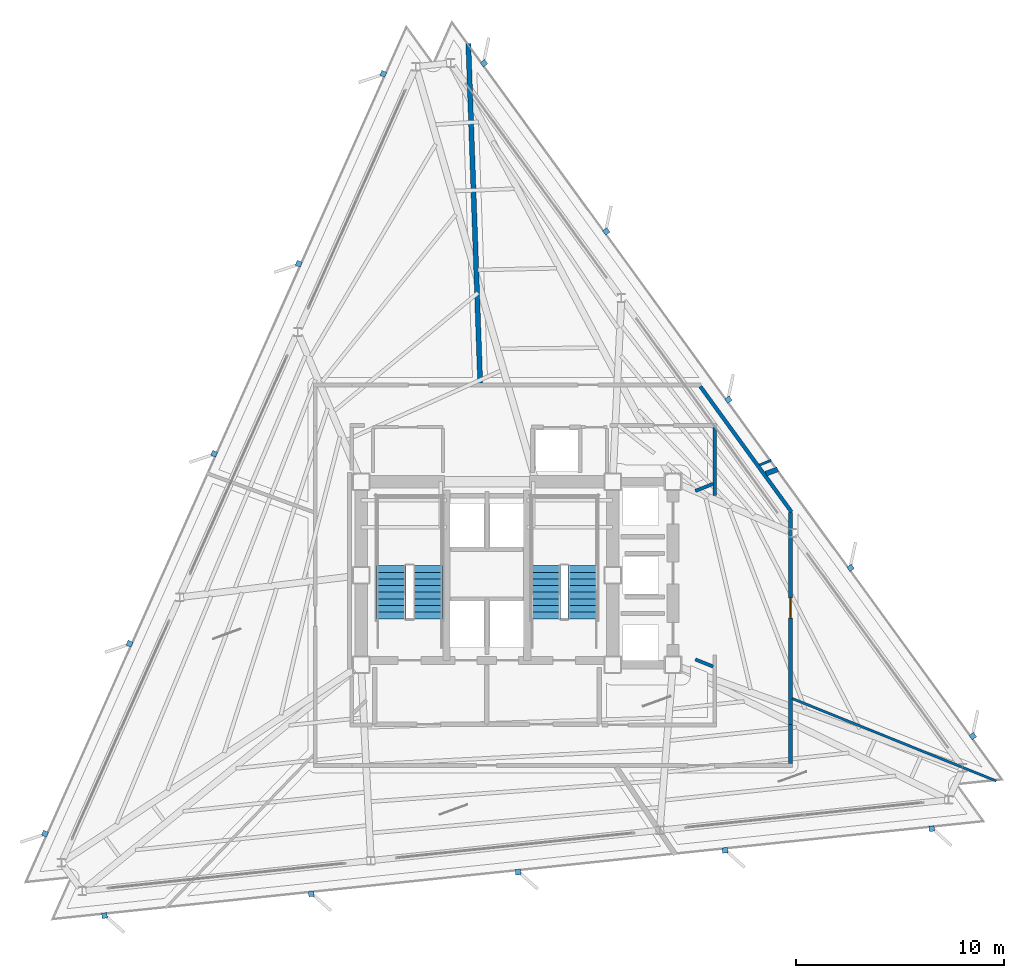
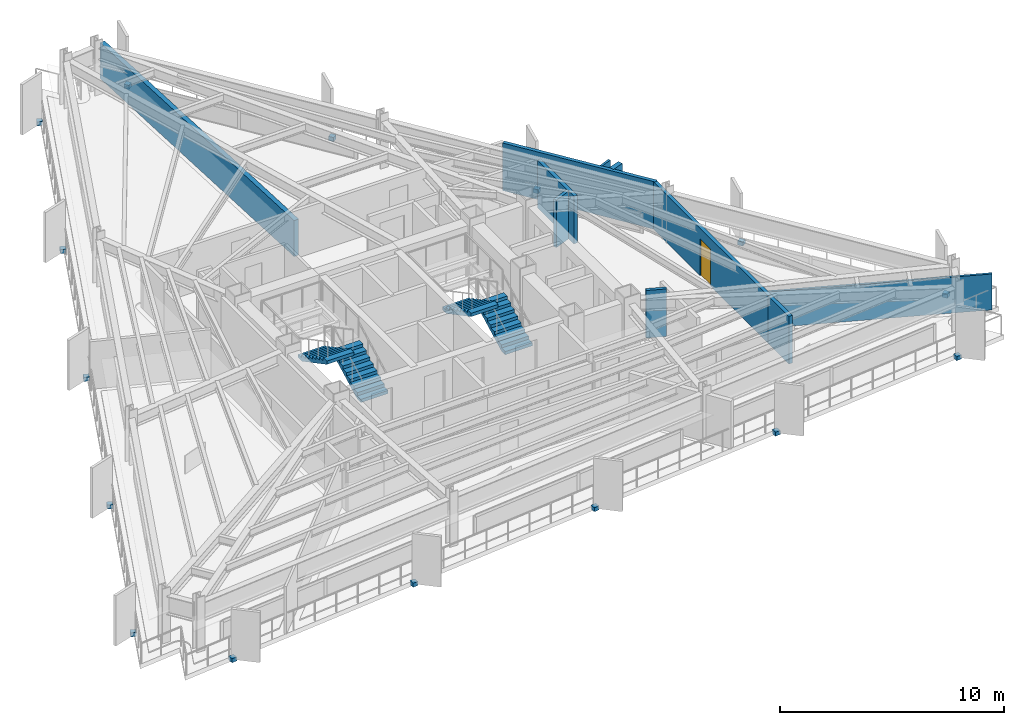
# One storey, part 9 of 13: 15 discrete accessories, 10 walls, 4 stair flights, 1 door, 1 opening, 2 elements without a shape of their own.
"""IFC4 building model written with IfcOpenShell, lengths in metres."""

from ifc_helpers import new_model, si_unit, direction, frame, frame_2d, origin, origin_2d, place, context, subcontext, project, spatial, polyline, rectangle, outline, extrude, material, layer, layer_set, type_object, element, fill, aggregate, save


model = new_model("IFC4")

# Units and contexts
model_context = context("Model", 3, precision=1e-05, world=origin(), true_north=direction((0.0, 1.0)))
body_context = subcontext(model_context, "Body", "Model", "MODEL_VIEW")
ifc_project = project(units=[si_unit("LENGTHUNIT", "METRE"), si_unit("AREAUNIT", "SQUARE_METRE"), si_unit("VOLUMEUNIT", "CUBIC_METRE"), si_unit("PLANEANGLEUNIT", "RADIAN"), si_unit("MASSUNIT", "GRAM", prefix="KILO")], contexts=[model_context])

# Site, building, storey
site_placement = place(None, origin())
site = spatial("IfcSite", under=ifc_project, at=site_placement, CompositionType="ELEMENT")
building_placement = place(site_placement, origin())
building = spatial("IfcBuilding", under=site, at=building_placement, Name="Rocaltana Carrier Exchange", CompositionType="ELEMENT")
storey_placement = place(building_placement, frame((0.0, 0.0, 122.8798828125)))
storey = spatial("IfcBuildingStorey", under=building, at=storey_placement, Name="L38", CompositionType="ELEMENT", Elevation=122.8798828125)

# Walls
ifc_material_1 = material(Name="Double Acoustic Gypsum Partition", Category="gypsum")
ifc_layer_1 = layer(ifc_material_1, 0.159912109375)
ifc_layer_set_1 = layer_set([ifc_layer_1], Name="Double Acoustic Gypsum Partition")
wall_type_1 = type_object("IfcWallType", Name="Acoustic Studio Partition 160 EI60", PredefinedType="PARTITIONING", material=ifc_layer_set_1)
for number, where, z_axis, x_axis, name in (
    (1, (10.024169921875, -4.050048828125, 0.0), (0.0, 0.0, 1.0), (0.927194137639, -0.374581140912, 0.0), "L38 Suite Divider Wall D4"),
    (2, (10.024169921875, 4.050048828125, 0.0), (0.0, 0.0, 1.0), (0.927194137639, 0.374581140912, 0.0), "L38 Suite Divider Wall D7"),
):
    element("IfcWall", number, at=place(storey_placement, frame(where, z_axis=z_axis, x_axis=x_axis)), inside=storey, type_object=wall_type_1, Name=name, PredefinedType="PARTITIONING", context=body_context, shape_type="SweptSolid", body=[
        extrude(rectangle(XDim=0.9228515625, YDim=0.159912109375, at=frame_2d((0.46142578125, 0.0))), origin(), (0.0, 0.0, 1.0), 2.593017578125),
    ])
ifc_material_2 = material(Name="Gypsum & Steel Stud Partition", Category="steel")
ifc_layer_2 = layer(ifc_material_2, 0.179931640625)
ifc_layer_set_2 = layer_set([ifc_layer_2], Name="Gypsum & Steel Stud Partition")
wall_type_2 = type_object("IfcWallType", Name="Corridor Fire Partition 180 EI60", PredefinedType="PARTITIONING", material=ifc_layer_set_2)
wall_1_placement = place(storey_placement, frame((10.262939453125, 9.0771484375, 0.0), z_axis=(0.0, 0.0, 1.0), x_axis=(0.587780951295, -0.809020119215, 0.0)))
element("IfcWall", 3, at=wall_1_placement, inside=storey, type_object=wall_type_2, Name="L38 Corridor Partition 7", PredefinedType="PARTITIONING", context=body_context, shape_type="SweptSolid", body=[
    extrude(rectangle(XDim=7.468505859375, YDim=0.179931640625, at=frame_2d((3.734375, 0.0))), origin(), (0.0, 0.0, 1.0), 2.593017578125),
])

# Wall, opening, door
wall_2_placement = place(storey_placement, frame((14.60009765625, 3.017578125, 0.0), z_axis=(0.0, 0.0, 1.0), x_axis=(0.0, -1.0, 0.0)))
wall_2 = element("IfcWall", 4, at=wall_2_placement, inside=storey, type_object=wall_type_2, Name="L38 Corridor Partition 8", PredefinedType="PARTITIONING", context=body_context, shape_type="SweptSolid", body=[
    extrude(rectangle(XDim=10.237548828125, YDim=0.179931640625, at=frame_2d((5.11865234375, 0.0))), origin(), (0.0, 0.0, 1.0), 2.593017578125),
])
opening_placement = place(wall_2_placement, frame((4.123779296875, 0.0, 0.0)))
opening = element("IfcOpeningElement", 5, at=opening_placement, cuts=wall_2, Name="Opening D-RM098", PredefinedType="OPENING", context=body_context, shape_type="SweptSolid", body=[
    extrude(rectangle(XDim=0.9599609375, YDim=2.02001953125, at=frame_2d((0.47998046875, 1.010009765625))), frame((0.0, 0.099853515625, 0.0), z_axis=(0.0, -1.0, 0.0), x_axis=(1.0, 0.0, 0.0)), (0.0, 0.0, 1.0), 0.199951171875),
])
ifc_material_3 = material(Name="Engineered Hardwood Timber", Category="wood")
door_type = type_object("IfcDoorType", Name="Workspace Single Door 960x2020", OperationType="NOTDEFINED", PredefinedType="DOOR", material=ifc_material_3)
door_placement = place(opening_placement, origin())
door = element("IfcDoor", 6, at=door_placement, inside=storey, type_object=door_type, Name="L38 Quiet Focus Lounge Entrance Door", OperationType="SINGLE_SWING_LEFT", OverallHeight=2.02001953125, OverallWidth=0.9599609375, PredefinedType="DOOR", context=body_context, shape_type="SweptSolid", body=[
    extrude(rectangle(XDim=0.9599609375, YDim=2.02001953125, at=frame_2d((0.47998046875, 1.010009765625))), frame((0.0, 0.02490234375, 0.0), z_axis=(0.0, -1.0, 0.0), x_axis=(1.0, 0.0, 0.0)), (0.0, 0.0, 1.0), 0.050048828125),
])
fill(opening, door)

# Walls
wall_3_placement = place(storey_placement, frame((14.60009765625, -7.179931640625, 0.0), z_axis=(0.0, 0.0, 1.0), x_axis=(0.0, -1.0, 0.0)))
element("IfcWall", 7, at=wall_3_placement, inside=storey, type_object=wall_type_2, Name="L38 Corridor Partition 9", PredefinedType="PARTITIONING", context=body_context, shape_type="SweptSolid", body=[
    extrude(rectangle(XDim=1.880126953125, YDim=0.179931640625, at=frame_2d((0.93994140625, 0.0))), origin(), (0.0, 0.0, 1.0), 2.593017578125),
])
wall_4_placement = place(storey_placement, frame((10.9599609375, 3.839599609375, 0.0), z_axis=(0.0, 0.0, 1.0), x_axis=(0.0, 1.0, 0.0)))
element("IfcWall", 8, at=wall_4_placement, inside=storey, type_object=wall_type_2, Name="L38 Corridor Partition 14", PredefinedType="PARTITIONING", context=body_context, shape_type="SweptSolid", body=[
    extrude(rectangle(XDim=3.2705078125, YDim=0.179931640625, at=frame_2d((1.63525390625, 0.0))), origin(), (0.0, 0.0, 1.0), 2.593017578125),
])
ifc_material_4 = material(Name="Aluminium 6063-T6 & Acoustic Glass", Category="aluminium")
ifc_layer_3 = layer(ifc_material_4, 0.114990234375)
ifc_layer_set_3 = layer_set([ifc_layer_3], Name="Aluminium 6063-T6 & Acoustic Glass")
wall_type_3 = type_object("IfcWallType", Name="Demountable Glazed Lab Partition 115", PredefinedType="MOVABLE", material=ifc_layer_set_3)
wall_5_placement = place(storey_placement, frame((14.679931640625, -5.93115234375, 0.0), z_axis=(0.0, 0.0, 1.0), x_axis=(0.927187622353, -0.374597267682, 0.0)))
element("IfcWall", 9, at=wall_5_placement, inside=storey, type_object=wall_type_3, Name="L38 Suite Divider Wall D5", PredefinedType="MOVABLE", context=body_context, shape_type="SweptSolid", body=[
    extrude(rectangle(XDim=10.586181640625, YDim=0.114990234375, at=frame_2d((5.29296875, 0.0))), origin(), (0.0, 0.0, 1.0), 1.962158203125),
])
wall_6_placement = place(storey_placement, frame((13.10888671875, 5.29638671875, 0.0), z_axis=(0.0, 0.0, 1.0), x_axis=(0.927169426613, 0.374642301875, 0.0)))
element("IfcWall", 10, at=wall_6_placement, inside=storey, type_object=wall_type_3, Name="L38 Suite Divider Wall D8", PredefinedType="MOVABLE", context=body_context, shape_type="SweptSolid", body=[
    extrude(rectangle(XDim=0.60791015625, YDim=0.114990234375, at=frame_2d((0.303955078125, 0.0))), origin(), (0.0, 0.0, 1.0), 2.593017578125),
])
ifc_material_5 = material(Name="Acoustic Calcium Silicate Partition", Category="gypsum")
ifc_layer_4 = layer(ifc_material_5, 0.239990234375)
ifc_layer_set_4 = layer_set([ifc_layer_4], Name="Acoustic Calcium Silicate Partition")
wall_type_4 = type_object("IfcWallType", Name="Heavy Lab Partition 240 EI90", PredefinedType="PARTITIONING", material=ifc_layer_set_4)
wall_7_placement = place(storey_placement, frame((13.410400390625, 4.881103515625, 0.0), z_axis=(0.0, 0.0, 1.0), x_axis=(0.939828255983, 0.341647258523, 0.0)))
element("IfcWall", 11, at=wall_7_placement, inside=storey, type_object=wall_type_4, Name="L38 Suite Divider Wall D6", PredefinedType="PARTITIONING", context=body_context, shape_type="SweptSolid", body=[
    extrude(rectangle(XDim=0.61376953125, YDim=0.239990234375, at=frame_2d((0.306884765625, 0.0))), origin(), (0.0, 0.0, 1.0), 2.593017578125),
])
wall_8_placement = place(storey_placement, frame((-0.322265625, 9.22998046875, 0.0), z_axis=(0.0, 0.0, 1.0), x_axis=(-0.034907078812, 0.999390562217, 0.0)))
element("IfcWall", 12, at=wall_8_placement, inside=storey, type_object=wall_type_4, Name="L38 Suite Divider Wall D9", PredefinedType="PARTITIONING", context=body_context, shape_type="SweptSolid", body=[
    extrude(rectangle(XDim=16.35205078125, YDim=0.239990234375, at=frame_2d((8.176025390625, 0.0))), origin(), (0.0, 0.0, 1.0), 1.962158203125),
])

# Stair, stair flights
ifc_material_6 = material(Name="Precast concrete C45/55", Category="concrete")
stair_type = type_object("IfcStairType", Name="Standard Dog-Leg Stair 160", PredefinedType="HALF_TURN_STAIR", material=ifc_material_6)
stair_1_placement = place(storey_placement, origin())
stair_1 = element("IfcStair", 13, at=stair_1_placement, inside=storey, type_object=stair_type, Name="L38 Core West Exit Stair ST-1", PredefinedType="HALF_TURN_STAIR")
ifc_material_7 = material(Name="Precast concrete C45/55", Category="concrete")
stair_flight_type = type_object("IfcStairFlightType", Name="Precast Stair Flight 160", PredefinedType="STRAIGHT", material=ifc_material_7)
stair_flight_1_placement = place(storey_placement, frame((-2.840087890625, -2.10009765625, 0.0), z_axis=(0.0, 0.0, 1.0), x_axis=(0.0, 1.0, 0.0)))
stair_flight_1 = element("IfcStairFlight", 14, at=stair_flight_1_placement, type_object=stair_flight_type, Name="ST-1 flight 1", NumberOfRisers=9, NumberOfTreads=8, PredefinedType="STRAIGHT", RiserHeight=0.168888889, TreadLength=0.32, context=body_context, shape_type="SweptSolid", body=[
    extrude(outline(polyline([(0.0, 0.0), (0.0, 0.1689453125), (0.320068359375, 0.1689453125), (0.320068359375, 0.337890625), (0.639892578125, 0.337890625), (0.639892578125, 0.506591796875), (0.9599609375, 0.506591796875), (0.9599609375, 0.675537109375), (1.280029296875, 0.675537109375), (1.280029296875, 0.844482421875), (1.60009765625, 0.844482421875), (1.60009765625, 1.013427734375), (1.919921875, 1.013427734375), (1.919921875, 1.18212890625), (2.239990234375, 1.18212890625), (2.239990234375, 1.35107421875), (2.56005859375, 1.35107421875), (2.56005859375, 1.52001953125), (2.56005859375, 1.17041015625), (0.342529296875, 0.0), (0.0, 0.0)])), frame((0.0, 0.699951171875, 0.0), z_axis=(0.0, -1.0, 0.0), x_axis=(1.0, 0.0, 0.0)), (0.0, 0.0, 1.0), 1.39990234375),
])
stair_flight_2_placement = place(storey_placement, frame((-4.60009765625, 0.4599609375, 1.52001953125), z_axis=(0.0, 0.0, 1.0), x_axis=(0.0, -1.0, 0.0)))
stair_flight_2 = element("IfcStairFlight", 15, at=stair_flight_2_placement, type_object=stair_flight_type, Name="ST-1 flight 2", NumberOfRisers=9, NumberOfTreads=8, PredefinedType="STRAIGHT", RiserHeight=0.168888889, TreadLength=0.32, context=body_context, shape_type="SweptSolid", body=[
    extrude(outline(polyline([(0.0, 0.0), (0.0, 0.1689453125), (0.320068359375, 0.1689453125), (0.320068359375, 0.337890625), (0.639892578125, 0.337890625), (0.639892578125, 0.506591796875), (0.9599609375, 0.506591796875), (0.9599609375, 0.675537109375), (1.280029296875, 0.675537109375), (1.280029296875, 0.844482421875), (1.60009765625, 0.844482421875), (1.60009765625, 1.013427734375), (1.919921875, 1.013427734375), (1.919921875, 1.18212890625), (2.239990234375, 1.18212890625), (2.239990234375, 1.35107421875), (2.56005859375, 1.35107421875), (2.56005859375, 1.52001953125), (2.56005859375, 1.17041015625), (0.342529296875, 0.0), (0.0, 0.0)])), frame((0.0, 0.699951171875, 0.0), z_axis=(0.0, -1.0, 0.0), x_axis=(1.0, 0.0, 0.0)), (0.0, 0.0, 1.0), 1.39990234375),
])
aggregate(stair_1, [stair_flight_1, stair_flight_2])

stair_2_placement = place(storey_placement, origin())
stair_2 = element("IfcStair", 16, at=stair_2_placement, inside=storey, type_object=stair_type, Name="L38 Core East Exit Stair ST-2", PredefinedType="HALF_TURN_STAIR")
stair_flight_3_placement = place(storey_placement, frame((4.60009765625, -2.10009765625, 0.0), z_axis=(0.0, 0.0, 1.0), x_axis=(0.0, 1.0, 0.0)))
stair_flight_3 = element("IfcStairFlight", 17, at=stair_flight_3_placement, type_object=stair_flight_type, Name="ST-2 flight 1", NumberOfRisers=9, NumberOfTreads=8, PredefinedType="STRAIGHT", RiserHeight=0.168888889, TreadLength=0.32, context=body_context, shape_type="SweptSolid", body=[
    extrude(outline(polyline([(0.0, 0.0), (0.0, 0.1689453125), (0.320068359375, 0.1689453125), (0.320068359375, 0.337890625), (0.639892578125, 0.337890625), (0.639892578125, 0.506591796875), (0.9599609375, 0.506591796875), (0.9599609375, 0.675537109375), (1.280029296875, 0.675537109375), (1.280029296875, 0.844482421875), (1.60009765625, 0.844482421875), (1.60009765625, 1.013427734375), (1.919921875, 1.013427734375), (1.919921875, 1.18212890625), (2.239990234375, 1.18212890625), (2.239990234375, 1.35107421875), (2.56005859375, 1.35107421875), (2.56005859375, 1.52001953125), (2.56005859375, 1.17041015625), (0.342529296875, 0.0), (0.0, 0.0)])), frame((0.0, 0.699951171875, 0.0), z_axis=(0.0, -1.0, 0.0), x_axis=(1.0, 0.0, 0.0)), (0.0, 0.0, 1.0), 1.39990234375),
])
stair_flight_4_placement = place(storey_placement, frame((2.840087890625, 0.4599609375, 1.52001953125), z_axis=(0.0, 0.0, 1.0), x_axis=(0.0, -1.0, 0.0)))
stair_flight_4 = element("IfcStairFlight", 18, at=stair_flight_4_placement, type_object=stair_flight_type, Name="ST-2 flight 2", NumberOfRisers=9, NumberOfTreads=8, PredefinedType="STRAIGHT", RiserHeight=0.168888889, TreadLength=0.32, context=body_context, shape_type="SweptSolid", body=[
    extrude(outline(polyline([(0.0, 0.0), (0.0, 0.1689453125), (0.320068359375, 0.1689453125), (0.320068359375, 0.337890625), (0.639892578125, 0.337890625), (0.639892578125, 0.506591796875), (0.9599609375, 0.506591796875), (0.9599609375, 0.675537109375), (1.280029296875, 0.675537109375), (1.280029296875, 0.844482421875), (1.60009765625, 0.844482421875), (1.60009765625, 1.013427734375), (1.919921875, 1.013427734375), (1.919921875, 1.18212890625), (2.239990234375, 1.18212890625), (2.239990234375, 1.35107421875), (2.56005859375, 1.35107421875), (2.56005859375, 1.52001953125), (2.56005859375, 1.17041015625), (0.342529296875, 0.0), (0.0, 0.0)])), frame((0.0, 0.699951171875, 0.0), z_axis=(0.0, -1.0, 0.0), x_axis=(1.0, 0.0, 0.0)), (0.0, 0.0, 1.0), 1.39990234375),
])
aggregate(stair_2, [stair_flight_3, stair_flight_4])

# Discrete accessories
ifc_material_8 = material(Name="Brushed Architectural Stainless Metal", Category="steel")
ifc_layer_5 = layer(ifc_material_8, 0.219970703125)
ifc_layer_set_5 = layer_set([ifc_layer_5], Name="Brushed Architectural Stainless Metal")
discrete_accessory_type = type_object("IfcDiscreteAccessoryType", Name="Stainless Fin Slab-Edge Bracket 260x260x220", PredefinedType="BRACKET", material=ifc_layer_set_5)
for number, where, z_axis, x_axis, name in (
    (19, (23.371826171875, -7.74072265625, -0.2099609375), (0.0, 0.0, 1.0), (-0.587785252292, 0.809016994375, 0.0), "L38 Sandstone Fin Edge Bracket F1-01"),
    (20, (17.493896484375, 0.349365234375, -0.2099609375), (0.0, 0.0, 1.0), (-0.587785252292, 0.809016994375, 0.0), "L38 Sandstone Fin Edge Bracket F1-02"),
    (21, (11.6162109375, 8.439697265625, -0.2099609375), (0.0, 0.0, 1.0), (-0.587785252292, 0.809016994375, 0.0), "L38 Sandstone Fin Edge Bracket F1-03"),
    (22, (5.73828125, 16.52978515625, -0.2099609375), (0.0, 0.0, 1.0), (-0.587785252292, 0.809016994375, 0.0), "L38 Sandstone Fin Edge Bracket F1-04"),
    (23, (-0.1396484375, 24.619873046875, -0.2099609375), (0.0, 0.0, 1.0), (-0.587785252292, 0.809016994375, 0.0), "L38 Sandstone Fin Edge Bracket F1-05"),
    (24, (-4.982177734375, 24.111083984375, -0.2099609375), (0.0, 0.0, 1.0), (-0.406736643076, -0.913545457643, 0.0), "L38 Sandstone Fin Edge Bracket F2-01"),
    (25, (-9.049560546875, 14.9755859375, -0.2099609375), (0.0, 0.0, 1.0), (-0.406736643076, -0.913545457643, 0.0), "L38 Sandstone Fin Edge Bracket F2-02"),
    (26, (-13.116943359375, 5.840087890625, -0.2099609375), (0.0, 0.0, 1.0), (-0.406736643076, -0.913545457643, 0.0), "L38 Sandstone Fin Edge Bracket F2-03"),
    (27, (-17.184326171875, -3.29541015625, -0.2099609375), (0.0, 0.0, 1.0), (-0.406736643076, -0.913545457643, 0.0), "L38 Sandstone Fin Edge Bracket F2-04"),
    (28, (-21.251708984375, -12.430908203125, -0.2099609375), (0.0, 0.0, 1.0), (-0.406736643076, -0.913545457643, 0.0), "L38 Sandstone Fin Edge Bracket F2-05"),
    (29, (-18.3896484375, -16.3701171875, -0.2099609375), (0.0, 0.0, 1.0), (0.994521895368, 0.104528463268, 0.0), "L38 Sandstone Fin Edge Bracket F3-01"),
    (30, (-8.4443359375, -15.324951171875, -0.2099609375), (0.0, 0.0, 1.0), (0.994521895368, 0.104528463268, 0.0), "L38 Sandstone Fin Edge Bracket F3-02"),
    (31, (1.500732421875, -14.279541015625, -0.2099609375), (0.0, 0.0, 1.0), (0.994521895368, 0.104528463268, 0.0), "L38 Sandstone Fin Edge Bracket F3-03"),
    (32, (11.446044921875, -13.234375, -0.2099609375), (0.0, 0.0, 1.0), (0.994521895368, 0.104528463268, 0.0), "L38 Sandstone Fin Edge Bracket F3-04"),
    (33, (21.391357421875, -12.189208984375, -0.2099609375), (0.0, 0.0, 1.0), (0.994521895368, 0.104528463268, 0.0), "L38 Sandstone Fin Edge Bracket F3-05"),
):
    element("IfcDiscreteAccessory", number, at=place(storey_placement, frame(where, z_axis=z_axis, x_axis=x_axis)), inside=storey, type_object=discrete_accessory_type, Name=name, PredefinedType="BRACKET", context=body_context, shape_type="SweptSolid", body=[
        extrude(rectangle(XDim=0.260009765625, YDim=0.260009765625, at=origin_2d()), origin(), (0.0, 0.0, 1.0), 0.219970703125),
    ])

save(model, "model.ifc")
